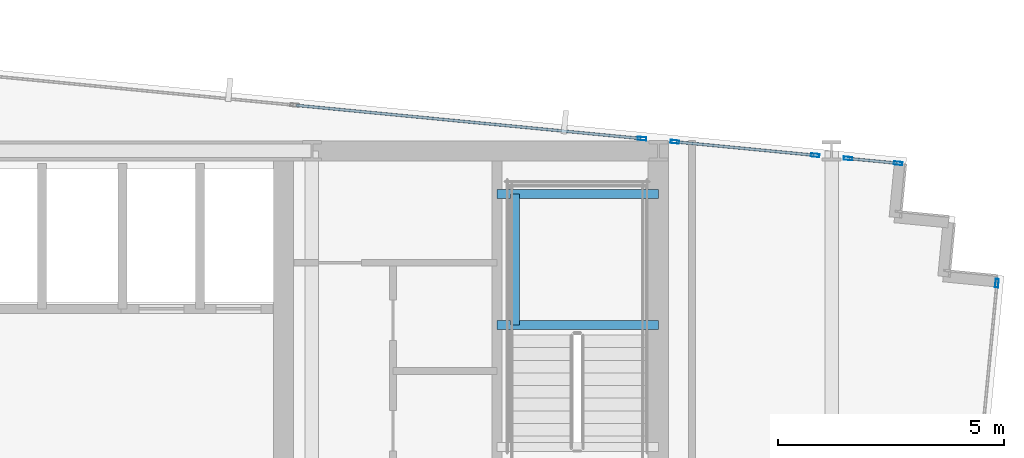
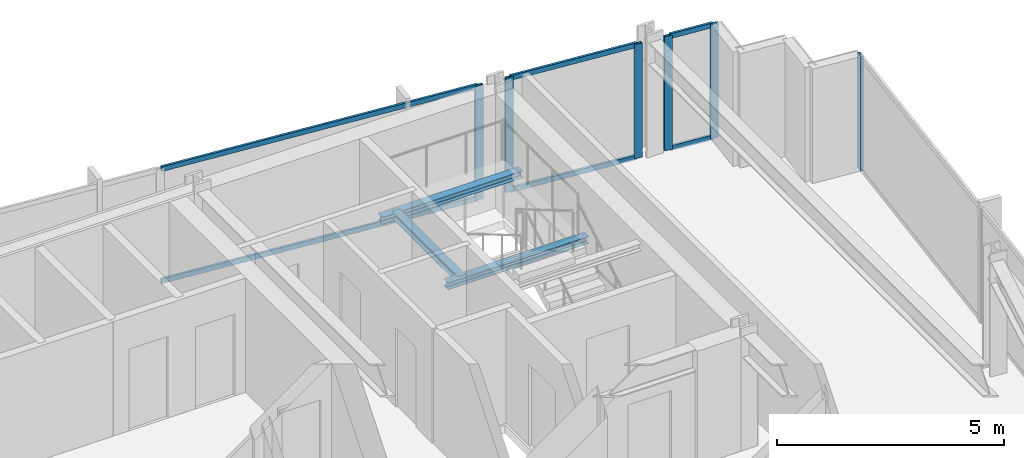
# One storey, part 27 of 37: 12 members, 3 beams, 4 elements without a shape of their own.
"""IFC4 building model written with IfcOpenShell, lengths in metres."""

from ifc_helpers import new_model, si_unit, direction, frame, origin, origin_2d, place, context, subcontext, project, spatial, hollow_rectangle, i_section, extrude, material, material_profile, profile_set, type_object, element, aggregate, save


model = new_model("IFC4")

# Units and contexts
model_context = context("Model", 3, precision=1e-05, world=origin(), true_north=direction((0.0, 1.0)))
body_context = subcontext(model_context, "Body", "Model", "MODEL_VIEW")
ifc_project = project(units=[si_unit("LENGTHUNIT", "METRE"), si_unit("AREAUNIT", "SQUARE_METRE"), si_unit("VOLUMEUNIT", "CUBIC_METRE"), si_unit("PLANEANGLEUNIT", "RADIAN"), si_unit("MASSUNIT", "GRAM", prefix="KILO")], contexts=[model_context])

# Site, building, storey
site_placement = place(None, origin())
site = spatial("IfcSite", under=ifc_project, at=site_placement, CompositionType="ELEMENT")
building_placement = place(site_placement, origin())
building = spatial("IfcBuilding", under=site, at=building_placement, Name="Yelkora Congress Tower", CompositionType="ELEMENT")
storey_placement = place(building_placement, frame((0.0, 0.0, 165.5)))
storey = spatial("IfcBuildingStorey", under=building, at=storey_placement, Name="L45", CompositionType="ELEMENT", Elevation=165.5)

# Beams
ifc_material_1 = material(Name="Steel S355J2", Category="steel")
ifc_material_profile_1 = material_profile(ifc_material_1, i_section(OverallWidth=0.199951171875, OverallDepth=0.18994140625, WebThickness=0.006591796875, FlangeThickness=0.010009765625, FilletRadius=0.01806640625, at=origin_2d()), Name="HEA 200")
ifc_profile_set_1 = profile_set([ifc_material_profile_1], Name="Steel S355J2")
beam_type = type_object("IfcBeamType", Name="BM-LAND-HEA200", PredefinedType="BEAM", material=ifc_profile_set_1)
for number, where, z_axis, x_axis, name in (
    (1, (50.179931640625, 42.340087890625, 1.334716796875), (1.0, 0.0, 0.0), (0.0, 1.0, 0.0), "ST-02 L45 Landing Header Beam 1S"),
    (2, (50.179931640625, 45.25, 1.334716796875), (1.0, 0.0, 0.0), (0.0, 1.0, 0.0), "ST-02 L45 Landing Header Beam 1N"),
):
    element("IfcBeam", number, at=place(storey_placement, frame(where, z_axis=z_axis, x_axis=x_axis)), inside=storey, type_object=beam_type, Name=name, PredefinedType="BEAM", context=body_context, shape_type="SweptSolid", body=[
        extrude(i_section(OverallWidth=0.199951171875, OverallDepth=0.18994140625, WebThickness=0.006591796875, FlangeThickness=0.010009765625, FilletRadius=0.01806640625, at=origin_2d()), origin(), (0.0, 0.0, 1.0), 3.580078125),
    ])
beam_placement = place(storey_placement, frame((50.580078125, 42.340087890625, 1.334716796875), z_axis=(0.0, 1.0, 0.0), x_axis=(-1.0, 0.0, 0.0)))
element("IfcBeam", 3, at=beam_placement, inside=storey, type_object=beam_type, Name="ST-02 L45 Landing Trimmer Beam 1M", PredefinedType="BEAM", context=body_context, shape_type="SweptSolid", body=[
    extrude(i_section(OverallWidth=0.199951171875, OverallDepth=0.18994140625, WebThickness=0.006591796875, FlangeThickness=0.010009765625, FilletRadius=0.01806640625, at=origin_2d()), origin(), (0.0, 0.0, 1.0), 2.909912109375),
])

# Curtain wall, member
ifc_material_2 = material(Name="Anodised aluminium and insulated glass", Category="aluminium")
curtain_wall_type = type_object("IfcCurtainWallType", Name="CW-SYS-B3", PredefinedType="NOTDEFINED", material=ifc_material_2)
curtain_wall_1_placement = place(storey_placement, origin())
curtain_wall_1 = element("IfcCurtainWall", 4, at=curtain_wall_1_placement, inside=storey, type_object=curtain_wall_type, Name="L45 Unitised Curtain Wall 10 (1)", PredefinedType="NOTDEFINED")
ifc_material_3 = material(Name="Anodised aluminium 6063-T6", Category="aluminium")
ifc_material_profile_2 = material_profile(ifc_material_3, hollow_rectangle(XDim=0.070068359375, YDim=0.18994140625, WallThickness=0.00390625, at=origin_2d()), Name="ALU 70x190x4")
ifc_profile_set_2 = profile_set([ifc_material_profile_2], Name="Anodised aluminium 6063-T6")
member_type_1 = type_object("IfcMemberType", Name="MEM-ML-B3", PredefinedType="MULLION", material=ifc_profile_set_2)
member_1_placement = place(storey_placement, frame((53.396240234375, 46.47314453125, 0.0), z_axis=(0.0, 0.0, 1.0), x_axis=(0.095844761168, 0.995396293823, 0.0)))
member_1 = element("IfcMember", 5, at=member_1_placement, type_object=member_type_1, Name="CW-B3 mullion 7", PredefinedType="MULLION", context=body_context, shape_type="SweptSolid", body=[
    extrude(hollow_rectangle(XDim=0.070068359375, YDim=0.18994140625, WallThickness=0.00390625, at=origin_2d()), origin(), (0.0, 0.0, 1.0), 3.080078125),
])

# Curtain wall, members
curtain_wall_2_placement = place(storey_placement, origin())
curtain_wall_2 = element("IfcCurtainWall", 6, at=curtain_wall_2_placement, inside=storey, type_object=curtain_wall_type, Name="L45 Unitised Curtain Wall 10 (2)", PredefinedType="NOTDEFINED")
member_2_placement = place(storey_placement, frame((54.123779296875, 46.40283203125, 0.0), z_axis=(0.0, 0.0, 1.0), x_axis=(0.095848309157, 0.995395952188, 0.0)))
member_2 = element("IfcMember", 7, at=member_2_placement, type_object=member_type_1, Name="CW-B3 mullion 1", PredefinedType="MULLION", context=body_context, shape_type="SweptSolid", body=[
    extrude(hollow_rectangle(XDim=0.070068359375, YDim=0.18994140625, WallThickness=0.00390625, at=origin_2d()), origin(), (0.0, 0.0, 1.0), 3.080078125),
])
member_3_placement = place(storey_placement, frame((57.236083984375, 46.103271484375, 0.0), z_axis=(0.0, 0.0, 1.0), x_axis=(0.095848309157, 0.995395952188, 0.0)))
member_3 = element("IfcMember", 8, at=member_3_placement, type_object=member_type_1, Name="CW-B3 mullion 2", PredefinedType="MULLION", context=body_context, shape_type="SweptSolid", body=[
    extrude(hollow_rectangle(XDim=0.070068359375, YDim=0.18994140625, WallThickness=0.00390625, at=origin_2d()), origin(), (0.0, 0.0, 1.0), 3.080078125),
])

curtain_wall_3_placement = place(storey_placement, origin())
curtain_wall_3 = element("IfcCurtainWall", 9, at=curtain_wall_3_placement, inside=storey, type_object=curtain_wall_type, Name="L45 Unitised Curtain Wall 10 (3)", PredefinedType="NOTDEFINED")
member_4_placement = place(storey_placement, frame((57.9638671875, 46.033203125, 0.0), z_axis=(0.0, 0.0, 1.0), x_axis=(0.095852281686, 0.995395569658, 0.0)))
member_4 = element("IfcMember", 10, at=member_4_placement, type_object=member_type_1, Name="CW-B3 mullion 1", PredefinedType="MULLION", context=body_context, shape_type="SweptSolid", body=[
    extrude(hollow_rectangle(XDim=0.070068359375, YDim=0.18994140625, WallThickness=0.00390625, at=origin_2d()), origin(), (0.0, 0.0, 1.0), 3.080078125),
])
member_5_placement = place(storey_placement, frame((59.073974609375, 45.92626953125, 0.0), z_axis=(0.0, 0.0, 1.0), x_axis=(0.095852281686, 0.995395569658, 0.0)))
member_5 = element("IfcMember", 11, at=member_5_placement, type_object=member_type_1, Name="CW-B3 mullion 2", PredefinedType="MULLION", context=body_context, shape_type="SweptSolid", body=[
    extrude(hollow_rectangle(XDim=0.070068359375, YDim=0.18994140625, WallThickness=0.00390625, at=origin_2d()), origin(), (0.0, 0.0, 1.0), 3.080078125),
])

# Curtain wall, member
curtain_wall_4_placement = place(storey_placement, origin())
curtain_wall_4 = element("IfcCurtainWall", 12, at=curtain_wall_4_placement, inside=storey, type_object=curtain_wall_type, Name="L45 Unitised Curtain Wall 15", PredefinedType="NOTDEFINED")
member_6_placement = place(storey_placement, frame((61.26416015625, 43.26904296875, 0.0), z_axis=(0.0, 0.0, 1.0), x_axis=(0.995396565076, -0.095841944023, 0.0)))
member_6 = element("IfcMember", 13, at=member_6_placement, type_object=member_type_1, Name="CW-B3 mullion 1", PredefinedType="MULLION", context=body_context, shape_type="SweptSolid", body=[
    extrude(hollow_rectangle(XDim=0.070068359375, YDim=0.18994140625, WallThickness=0.00390625, at=origin_2d()), origin(), (0.0, 0.0, 1.0), 3.080078125),
])
aggregate(curtain_wall_4, [member_6])

# Member
ifc_material_profile_3 = material_profile(ifc_material_3, hollow_rectangle(XDim=0.06005859375, YDim=0.1298828125, WallThickness=0.00390625, at=origin_2d()), Name="ALU 60x130x4")
ifc_profile_set_3 = profile_set([ifc_material_profile_3], Name="Anodised aluminium 6063-T6")
member_type_2 = type_object("IfcMemberType", Name="MEM-TR-B3", PredefinedType="USERDEFINED", material=ifc_profile_set_3)
member_7_placement = place(storey_placement, frame((45.732177734375, 47.2109375, 0.030029296875), z_axis=(0.99539600529, -0.095847757686, 0.0), x_axis=(0.095847757686, 0.99539600529, 0.0)))
member_7 = element("IfcMember", 14, at=member_7_placement, type_object=member_type_2, Name="CW-B3 transom 6.1", ObjectType="TRANSOM", PredefinedType="USERDEFINED", context=body_context, shape_type="SweptSolid", body=[
    extrude(hollow_rectangle(XDim=0.06005859375, YDim=0.1298828125, WallThickness=0.00390625, at=origin_2d()), origin(), (0.0, 0.0, 1.0), 7.66455078125),
])

member_8_placement = place(storey_placement, frame((45.732177734375, 47.2109375, 3.050048828125), z_axis=(0.99539600529, -0.095847757686, 0.0), x_axis=(0.095847757686, 0.99539600529, 0.0)))
member_8 = element("IfcMember", 15, at=member_8_placement, type_object=member_type_2, Name="CW-B3 transom 6.2", ObjectType="TRANSOM", PredefinedType="USERDEFINED", context=body_context, shape_type="SweptSolid", body=[
    extrude(hollow_rectangle(XDim=0.06005859375, YDim=0.1298828125, WallThickness=0.00390625, at=origin_2d()), origin(), (0.0, 0.0, 1.0), 7.66455078125),
])

aggregate(curtain_wall_1, [member_1, member_7, member_8])

member_9_placement = place(storey_placement, frame((54.15869140625, 46.399658203125, 0.030029296875), z_axis=(0.995396582455, -0.095841763536, 0.0), x_axis=(0.095841763536, 0.995396582455, 0.0)))
member_9 = element("IfcMember", 16, at=member_9_placement, type_object=member_type_2, Name="CW-B3 transom 1.1", ObjectType="TRANSOM", PredefinedType="USERDEFINED", context=body_context, shape_type="SweptSolid", body=[
    extrude(hollow_rectangle(XDim=0.06005859375, YDim=0.1298828125, WallThickness=0.00390625, at=origin_2d()), origin(), (0.0, 0.0, 1.0), 3.056884765625),
])

member_10_placement = place(storey_placement, frame((54.15869140625, 46.399658203125, 3.050048828125), z_axis=(0.995396582455, -0.095841763536, 0.0), x_axis=(0.095841763536, 0.995396582455, 0.0)))
member_10 = element("IfcMember", 17, at=member_10_placement, type_object=member_type_2, Name="CW-B3 transom 1.2", ObjectType="TRANSOM", PredefinedType="USERDEFINED", context=body_context, shape_type="SweptSolid", body=[
    extrude(hollow_rectangle(XDim=0.06005859375, YDim=0.1298828125, WallThickness=0.00390625, at=origin_2d()), origin(), (0.0, 0.0, 1.0), 3.056884765625),
])

aggregate(curtain_wall_2, [member_2, member_3, member_9, member_10])

member_11_placement = place(storey_placement, frame((57.998779296875, 46.02978515625, 0.030029296875), z_axis=(0.995402606714, -0.095779175957, 0.0), x_axis=(0.095779175957, 0.995402606714, 0.0)))
member_11 = element("IfcMember", 18, at=member_11_placement, type_object=member_type_2, Name="CW-B3 transom 1.1", ObjectType="TRANSOM", PredefinedType="USERDEFINED", context=body_context, shape_type="SweptSolid", body=[
    extrude(hollow_rectangle(XDim=0.06005859375, YDim=0.1298828125, WallThickness=0.00390625, at=origin_2d()), origin(), (0.0, 0.0, 1.0), 1.045166015625),
])

member_12_placement = place(storey_placement, frame((57.998779296875, 46.02978515625, 3.050048828125), z_axis=(0.995402606714, -0.095779175957, 0.0), x_axis=(0.095779175957, 0.995402606714, 0.0)))
member_12 = element("IfcMember", 19, at=member_12_placement, type_object=member_type_2, Name="CW-B3 transom 1.2", ObjectType="TRANSOM", PredefinedType="USERDEFINED", context=body_context, shape_type="SweptSolid", body=[
    extrude(hollow_rectangle(XDim=0.06005859375, YDim=0.1298828125, WallThickness=0.00390625, at=origin_2d()), origin(), (0.0, 0.0, 1.0), 1.045166015625),
])

aggregate(curtain_wall_3, [member_4, member_5, member_11, member_12])

save(model, "model.ifc")
